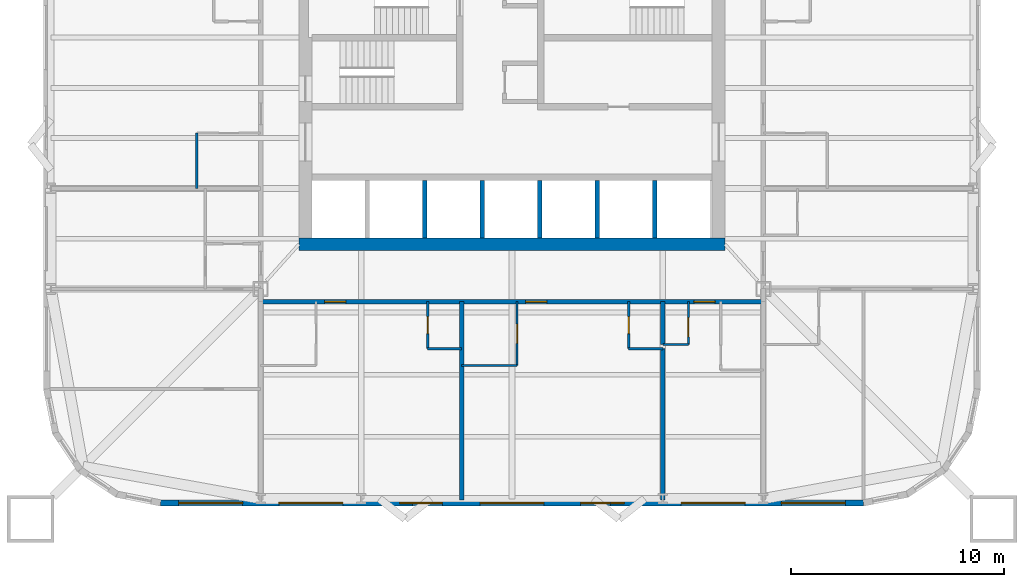
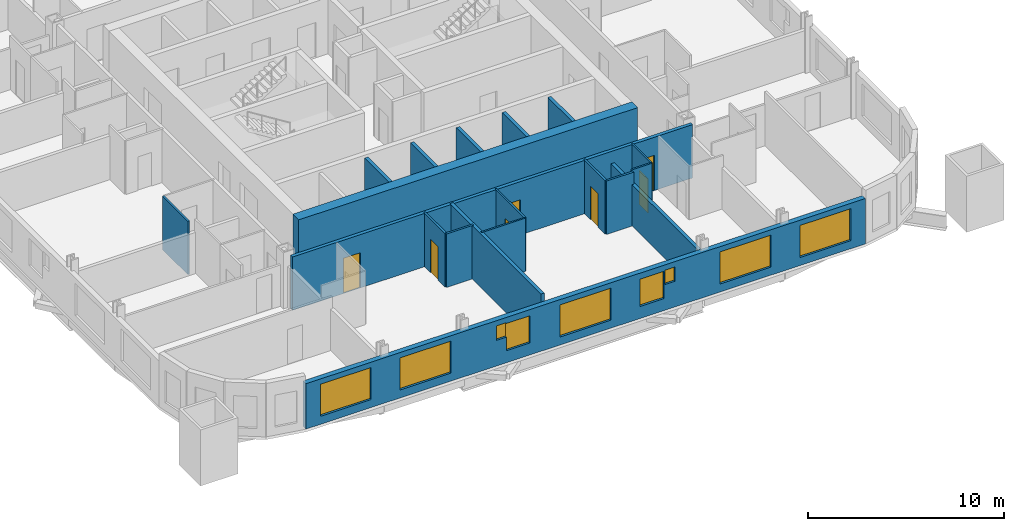
# One storey, part 3 of 10: 20 walls, 9 windows, 7 doors, 16 openings.
"""IFC4 building model written with IfcOpenShell, lengths in metres."""

from ifc_helpers import new_model, si_unit, direction, frame, frame_2d, origin, place, context, subcontext, project, spatial, rectangle, extrude, material, layer, layer_set, type_object, element, fill, save


model = new_model("IFC4")

# Units and contexts
model_context = context("Model", 3, precision=1e-05, world=origin(), true_north=direction((0.0, 1.0)))
body_context = subcontext(model_context, "Body", "Model", "MODEL_VIEW")
ifc_project = project(units=[si_unit("LENGTHUNIT", "METRE"), si_unit("AREAUNIT", "SQUARE_METRE"), si_unit("VOLUMEUNIT", "CUBIC_METRE"), si_unit("PLANEANGLEUNIT", "RADIAN"), si_unit("MASSUNIT", "GRAM", prefix="KILO")], contexts=[model_context])

# Site, building, storey
site_placement = place(None, origin())
site = spatial("IfcSite", under=ifc_project, at=site_placement, CompositionType="ELEMENT")
building_placement = place(site_placement, origin())
building = spatial("IfcBuilding", under=site, at=building_placement, Name="Turquesa Mirador Hotel Tower", CompositionType="ELEMENT")
storey_placement = place(building_placement, frame((0.0, 0.0, 63.5)))
storey = spatial("IfcBuildingStorey", under=building, at=storey_placement, Name="L16", CompositionType="ELEMENT", Elevation=63.5)

# Walls
ifc_material_1 = material(Name="Gypsum board on steel studs", Category="steel")
ifc_layer_1 = layer(ifc_material_1, 0.10009765625)
ifc_layer_set_1 = layer_set([ifc_layer_1], Name="BATHROOM WALL 100")
wall_type_1 = type_object("IfcWallType", Name="BATHROOM WALL 100", PredefinedType="PARTITIONING", material=ifc_layer_set_1)
wall_1_placement = place(storey_placement, frame((62.080078125, 30.60009765625, 0.0), z_axis=(0.0, 0.0, 1.0), x_axis=(1.0, 0.0, 0.0)))
element("IfcWall", 1, at=wall_1_placement, inside=storey, type_object=wall_type_1, Name="Partition L16 005", PredefinedType="PARTITIONING", context=body_context, shape_type="SweptSolid", body=[
    extrude(rectangle(XDim=1.199951171875, YDim=0.10009765625, at=frame_2d((0.60009765625, 0.0))), origin(), (0.0, 0.0, 1.0), 3.330078125),
])
for number, where, z_axis, x_axis, name in (
    (2, (52.639892578125, 29.60009765625, 0.0), (0.0, 0.0, 1.0), (1.0, 0.0, 0.0), "Partition L16 010"),
    (3, (40.199951171875, 37.919921875, 0.0), (0.0, 0.0, 1.0), (0.0, 1.0, 0.0), "Partition L16 050"),
):
    element("IfcWall", number, at=place(storey_placement, frame(where, z_axis=z_axis, x_axis=x_axis)), inside=storey, type_object=wall_type_1, Name=name, PredefinedType="PARTITIONING", context=body_context, shape_type="SweptSolid", body=[
        extrude(rectangle(XDim=2.60009765625, YDim=0.10009765625, at=frame_2d((1.300048828125, 0.0))), origin(), (0.0, 0.0, 1.0), 3.330078125),
    ])

# Wall, opening, door
wall_2_placement = place(storey_placement, frame((55.239990234375, 29.60009765625, 0.0), z_axis=(0.0, 0.0, 1.0), x_axis=(0.0, 1.0, 0.0)))
wall_2 = element("IfcWall", 4, at=wall_2_placement, inside=storey, type_object=wall_type_1, Name="Partition L16 056", PredefinedType="PARTITIONING", context=body_context, shape_type="SweptSolid", body=[
    extrude(rectangle(XDim=3.0, YDim=0.10009765625, at=frame_2d((1.5, 0.0))), origin(), (0.0, 0.0, 1.0), 3.330078125),
])
opening_1_placement = place(wall_2_placement, frame((1.050048828125, 0.0, 0.0)))
opening_1 = element("IfcOpeningElement", 5, at=opening_1_placement, cuts=wall_2, Name="Opening D02", PredefinedType="OPENING", context=body_context, shape_type="SweptSolid", body=[
    extrude(rectangle(XDim=0.89990234375, YDim=2.10009765625, at=frame_2d((0.449951171875, 1.050048828125))), frame((0.0, 0.06005859375, 0.0), z_axis=(0.0, -1.0, 0.0), x_axis=(1.0, 0.0, 0.0)), (0.0, 0.0, 1.0), 0.1201171875),
])
ifc_material_2 = material(Name="Timber veneered door", Category="wood")
door_type_1 = type_object("IfcDoorType", Name="DOOR 900X2100 EN-SUITE", OperationType="SINGLE_SWING_RIGHT", PredefinedType="DOOR", material=ifc_material_2)
door_1_placement = place(opening_1_placement, origin())
door_1 = element("IfcDoor", 6, at=door_1_placement, inside=storey, type_object=door_type_1, Name="Door 1604B", OperationType="SINGLE_SWING_RIGHT", OverallHeight=2.10009765625, OverallWidth=0.89990234375, PredefinedType="DOOR", context=body_context, shape_type="SweptSolid", body=[
    extrude(rectangle(XDim=0.89990234375, YDim=2.10009765625, at=frame_2d((0.449951171875, 1.050048828125))), frame((0.0, 0.02490234375, 0.0), z_axis=(0.0, -1.0, 0.0), x_axis=(1.0, 0.0, 0.0)), (0.0, 0.0, 1.0), 0.050048828125),
])
fill(opening_1, door_1)

wall_3_placement = place(storey_placement, frame((63.280029296875, 30.60009765625, 0.0), z_axis=(0.0, 0.0, 1.0), x_axis=(0.0, 1.0, 0.0)))
wall_3 = element("IfcWall", 7, at=wall_3_placement, inside=storey, type_object=wall_type_1, Name="Partition L16 075", PredefinedType="PARTITIONING", context=body_context, shape_type="SweptSolid", body=[
    extrude(rectangle(XDim=2.0, YDim=0.10009765625, at=frame_2d((1.0, 0.0))), origin(), (0.0, 0.0, 1.0), 3.330078125),
])
opening_2_placement = place(wall_3_placement, frame((0.35009765625, 0.0, 0.0)))
opening_2 = element("IfcOpeningElement", 8, at=opening_2_placement, cuts=wall_3, Name="Opening D06", PredefinedType="OPENING", context=body_context, shape_type="SweptSolid", body=[
    extrude(rectangle(XDim=0.89990234375, YDim=2.10009765625, at=frame_2d((0.449951171875, 1.050048828125))), frame((0.0, 0.06005859375, 0.0), z_axis=(0.0, -1.0, 0.0), x_axis=(1.0, 0.0, 0.0)), (0.0, 0.0, 1.0), 0.1201171875),
])
ifc_material_3 = material(Name="Laminate door", Category="wood")
door_type_2 = type_object("IfcDoorType", Name="DOOR 900X2100 WC", OperationType="SINGLE_SWING_LEFT", PredefinedType="DOOR", material=ifc_material_3)
door_2_placement = place(opening_2_placement, origin())
door_2 = element("IfcDoor", 9, at=door_2_placement, inside=storey, type_object=door_type_2, Name="Door 1605W", OperationType="SINGLE_SWING_LEFT", OverallHeight=2.10009765625, OverallWidth=0.89990234375, PredefinedType="DOOR", context=body_context, shape_type="SweptSolid", body=[
    extrude(rectangle(XDim=0.89990234375, YDim=2.10009765625, at=frame_2d((0.449951171875, 1.050048828125))), frame((0.0, 0.02490234375, 0.0), z_axis=(0.0, -1.0, 0.0), x_axis=(1.0, 0.0, 0.0)), (0.0, 0.0, 1.0), 0.050048828125),
])
fill(opening_2, door_2)

# Wall
ifc_material_4 = material(Name="Concrete C50/60", Category="concrete")
ifc_layer_2 = layer(ifc_material_4, 0.60009765625)
ifc_layer_set_2 = layer_set([ifc_layer_2], Name="CORE WALL 600")
wall_type_2 = type_object("IfcWallType", Name="CORE WALL 600", PredefinedType="SHEAR", material=ifc_layer_set_2)
wall_4_placement = place(storey_placement, frame((45.0, 35.300048828125, 0.0), z_axis=(0.0, 0.0, 1.0), x_axis=(1.0, 0.0, 0.0)))
element("IfcWall", 10, at=wall_4_placement, inside=storey, type_object=wall_type_2, Name="Core wall S", PredefinedType="SHEAR", context=body_context, shape_type="SweptSolid", body=[
    extrude(rectangle(XDim=20.0, YDim=0.60009765625, at=frame_2d((10.0, 0.0))), origin(), (0.0, 0.0, 1.0), 3.5),
])

# Wall, openings, doors
ifc_material_5 = material(Name="Fire-rated gypsum board on steel studs", Category="steel")
ifc_layer_3 = layer(ifc_material_5, 0.199951171875)
ifc_layer_set_3 = layer_set([ifc_layer_3], Name="CORRIDOR WALL 200")
wall_type_3 = type_object("IfcWallType", Name="CORRIDOR WALL 200", PredefinedType="PARTITIONING", material=ifc_layer_set_3)
wall_5_placement = place(storey_placement, frame((43.199951171875, 32.60009765625, 0.0), z_axis=(0.0, 0.0, 1.0), x_axis=(1.0, 0.0, 0.0)))
wall_5 = element("IfcWall", 11, at=wall_5_placement, inside=storey, type_object=wall_type_3, Name="Partition L16 004", PredefinedType="PARTITIONING", context=body_context, shape_type="SweptSolid", body=[
    extrude(rectangle(XDim=23.60009765625, YDim=0.199951171875, at=frame_2d((11.800048828125, 0.0))), origin(), (0.0, 0.0, 1.0), 3.330078125),
])
opening_3_placement = place(wall_5_placement, frame((3.0, 0.0, 0.0)))
opening_3 = element("IfcOpeningElement", 12, at=opening_3_placement, cuts=wall_5, Name="Opening D01", PredefinedType="OPENING", context=body_context, shape_type="SweptSolid", body=[
    extrude(rectangle(XDim=1.0, YDim=2.199951171875, at=frame_2d((0.5, 1.10009765625))), frame((0.0, 0.10986328125, 0.0), z_axis=(0.0, -1.0, 0.0), x_axis=(1.0, 0.0, 0.0)), (0.0, 0.0, 1.0), 0.219970703125),
])
opening_4_placement = place(wall_5_placement, frame((12.43994140625, 0.0, 0.0)))
opening_4 = element("IfcOpeningElement", 13, at=opening_4_placement, cuts=wall_5, Name="Opening D01", PredefinedType="OPENING", context=body_context, shape_type="SweptSolid", body=[
    extrude(rectangle(XDim=1.0, YDim=2.199951171875, at=frame_2d((0.5, 1.10009765625))), frame((0.0, 0.10986328125, 0.0), z_axis=(0.0, -1.0, 0.0), x_axis=(1.0, 0.0, 0.0)), (0.0, 0.0, 1.0), 0.219970703125),
])
opening_5_placement = place(wall_5_placement, frame((20.340087890625, 0.0, 0.0)))
opening_5 = element("IfcOpeningElement", 14, at=opening_5_placement, cuts=wall_5, Name="Opening D01", PredefinedType="OPENING", context=body_context, shape_type="SweptSolid", body=[
    extrude(rectangle(XDim=1.0, YDim=2.199951171875, at=frame_2d((0.5, 1.10009765625))), frame((0.0, 0.10986328125, 0.0), z_axis=(0.0, -1.0, 0.0), x_axis=(1.0, 0.0, 0.0)), (0.0, 0.0, 1.0), 0.219970703125),
])
ifc_material_6 = material(Name="Timber veneered fire door", Category="wood")
door_type_3 = type_object("IfcDoorType", Name="DOOR 1000X2200 GUEST ENTRY", OperationType="SINGLE_SWING_LEFT", PredefinedType="DOOR", material=ifc_material_6)
door_3_placement = place(opening_3_placement, origin())
door_3 = element("IfcDoor", 15, at=door_3_placement, inside=storey, type_object=door_type_3, Name="Door 1603", OperationType="SINGLE_SWING_LEFT", OverallHeight=2.199951171875, OverallWidth=1.0, PredefinedType="DOOR", context=body_context, shape_type="SweptSolid", body=[
    extrude(rectangle(XDim=1.0, YDim=2.199951171875, at=frame_2d((0.5, 1.10009765625))), frame((0.0, 0.02490234375, 0.0), z_axis=(0.0, -1.0, 0.0), x_axis=(1.0, 0.0, 0.0)), (0.0, 0.0, 1.0), 0.050048828125),
])
fill(opening_3, door_3)
door_4_placement = place(opening_4_placement, origin())
door_4 = element("IfcDoor", 16, at=door_4_placement, inside=storey, type_object=door_type_3, Name="Door 1604", OperationType="SINGLE_SWING_LEFT", OverallHeight=2.199951171875, OverallWidth=1.0, PredefinedType="DOOR", context=body_context, shape_type="SweptSolid", body=[
    extrude(rectangle(XDim=1.0, YDim=2.199951171875, at=frame_2d((0.5, 1.10009765625))), frame((0.0, 0.02490234375, 0.0), z_axis=(0.0, -1.0, 0.0), x_axis=(1.0, 0.0, 0.0)), (0.0, 0.0, 1.0), 0.050048828125),
])
fill(opening_4, door_4)
door_5_placement = place(opening_5_placement, origin())
door_5 = element("IfcDoor", 17, at=door_5_placement, inside=storey, type_object=door_type_3, Name="Door 1605", OperationType="SINGLE_SWING_LEFT", OverallHeight=2.199951171875, OverallWidth=1.0, PredefinedType="DOOR", context=body_context, shape_type="SweptSolid", body=[
    extrude(rectangle(XDim=1.0, YDim=2.199951171875, at=frame_2d((0.5, 1.10009765625))), frame((0.0, 0.02490234375, 0.0), z_axis=(0.0, -1.0, 0.0), x_axis=(1.0, 0.0, 0.0)), (0.0, 0.0, 1.0), 0.050048828125),
])
fill(opening_5, door_5)

# Wall, openings, windows
ifc_material_7 = material(Name="Limestone cladding on concrete block", Category="masonry")
ifc_layer_4 = layer(ifc_material_7, 0.300048828125)
ifc_layer_set_4 = layer_set([ifc_layer_4], Name="FACADE WALL 300 STONE SCREEN")
wall_type_4 = type_object("IfcWallType", Name="FACADE WALL 300 STONE SCREEN", PredefinedType="SOLIDWALL", material=ifc_layer_set_4)
wall_6_placement = place(storey_placement, frame((38.5, 23.14990234375, 0.0), z_axis=(0.0, 0.0, 1.0), x_axis=(1.0, 0.0, 0.0)))
wall_6 = element("IfcWall", 18, at=wall_6_placement, inside=storey, type_object=wall_type_4, Name="Facade wall L16 19", PredefinedType="SOLIDWALL", context=body_context, shape_type="SweptSolid", body=[
    extrude(rectangle(XDim=33.0, YDim=0.300048828125, at=frame_2d((16.5, 0.0))), origin(), (0.0, 0.0, 1.0), 2.830078125),
])
opening_6_placement = place(wall_6_placement, frame((0.85009765625, 0.0, 0.5)))
opening_6 = element("IfcOpeningElement", 19, at=opening_6_placement, cuts=wall_6, Name="Opening WN1", PredefinedType="OPENING", context=body_context, shape_type="SweptSolid", body=[
    extrude(rectangle(XDim=3.0, YDim=2.0, at=frame_2d((1.5, 1.0))), frame((0.0, 0.159912109375, 0.0), z_axis=(0.0, -1.0, 0.0), x_axis=(1.0, 0.0, 0.0)), (0.0, 0.0, 1.0), 0.320068359375),
])
opening_7_placement = place(wall_6_placement, frame((5.56005859375, 0.0, 0.5)))
opening_7 = element("IfcOpeningElement", 20, at=opening_7_placement, cuts=wall_6, Name="Opening WN1", PredefinedType="OPENING", context=body_context, shape_type="SweptSolid", body=[
    extrude(rectangle(XDim=3.0, YDim=2.0, at=frame_2d((1.5, 1.0))), frame((0.0, 0.159912109375, 0.0), z_axis=(0.0, -1.0, 0.0), x_axis=(1.0, 0.0, 0.0)), (0.0, 0.0, 1.0), 0.320068359375),
])
opening_8_placement = place(wall_6_placement, frame((11.830078125, 0.0, 0.75)))
opening_8 = element("IfcOpeningElement", 21, at=opening_8_placement, cuts=wall_6, Name="Opening WN43", PredefinedType="OPENING", context=body_context, shape_type="SweptSolid", body=[
    extrude(rectangle(XDim=1.39990234375, YDim=1.699951171875, at=frame_2d((0.699951171875, 0.85009765625))), frame((0.0, 0.159912109375, 0.0), z_axis=(0.0, -1.0, 0.0), x_axis=(1.0, 0.0, 0.0)), (0.0, 0.0, 1.0), 0.320068359375),
])
opening_9_placement = place(wall_6_placement, frame((15.0, 0.0, 0.5)))
opening_9 = element("IfcOpeningElement", 22, at=opening_9_placement, cuts=wall_6, Name="Opening WN1", PredefinedType="OPENING", context=body_context, shape_type="SweptSolid", body=[
    extrude(rectangle(XDim=3.0, YDim=2.0, at=frame_2d((1.5, 1.0))), frame((0.0, 0.159912109375, 0.0), z_axis=(0.0, -1.0, 0.0), x_axis=(1.0, 0.0, 0.0)), (0.0, 0.0, 1.0), 0.320068359375),
])
opening_10_placement = place(wall_6_placement, frame((19.719970703125, 0.0, 0.75)))
opening_10 = element("IfcOpeningElement", 23, at=opening_10_placement, cuts=wall_6, Name="Opening WN43", PredefinedType="OPENING", context=body_context, shape_type="SweptSolid", body=[
    extrude(rectangle(XDim=1.39990234375, YDim=1.699951171875, at=frame_2d((0.699951171875, 0.85009765625))), frame((0.0, 0.159912109375, 0.0), z_axis=(0.0, -1.0, 0.0), x_axis=(1.0, 0.0, 0.0)), (0.0, 0.0, 1.0), 0.320068359375),
])
opening_11_placement = place(wall_6_placement, frame((24.43994140625, 0.0, 0.5)))
opening_11 = element("IfcOpeningElement", 24, at=opening_11_placement, cuts=wall_6, Name="Opening WN1", PredefinedType="OPENING", context=body_context, shape_type="SweptSolid", body=[
    extrude(rectangle(XDim=3.0, YDim=2.0, at=frame_2d((1.5, 1.0))), frame((0.0, 0.159912109375, 0.0), z_axis=(0.0, -1.0, 0.0), x_axis=(1.0, 0.0, 0.0)), (0.0, 0.0, 1.0), 0.320068359375),
])
opening_12_placement = place(wall_6_placement, frame((29.14990234375, 0.0, 0.5)))
opening_12 = element("IfcOpeningElement", 25, at=opening_12_placement, cuts=wall_6, Name="Opening WN1", PredefinedType="OPENING", context=body_context, shape_type="SweptSolid", body=[
    extrude(rectangle(XDim=3.0, YDim=2.0, at=frame_2d((1.5, 1.0))), frame((0.0, 0.159912109375, 0.0), z_axis=(0.0, -1.0, 0.0), x_axis=(1.0, 0.0, 0.0)), (0.0, 0.0, 1.0), 0.320068359375),
])
opening_13_placement = place(wall_6_placement, frame((11.22998046875, 0.0, 1.60009765625)))
opening_13 = element("IfcOpeningElement", 26, at=opening_13_placement, cuts=wall_6, Name="Opening WN25", PredefinedType="OPENING", context=body_context, shape_type="SweptSolid", body=[
    extrude(rectangle(XDim=0.60009765625, YDim=0.89990234375, at=frame_2d((0.300048828125, 0.449951171875))), frame((0.0, 0.159912109375, 0.0), z_axis=(0.0, -1.0, 0.0), x_axis=(1.0, 0.0, 0.0)), (0.0, 0.0, 1.0), 0.320068359375),
])
opening_14_placement = place(wall_6_placement, frame((21.169921875, 0.0, 1.60009765625)))
opening_14 = element("IfcOpeningElement", 27, at=opening_14_placement, cuts=wall_6, Name="Opening WN25", PredefinedType="OPENING", context=body_context, shape_type="SweptSolid", body=[
    extrude(rectangle(XDim=0.60009765625, YDim=0.89990234375, at=frame_2d((0.300048828125, 0.449951171875))), frame((0.0, 0.159912109375, 0.0), z_axis=(0.0, -1.0, 0.0), x_axis=(1.0, 0.0, 0.0)), (0.0, 0.0, 1.0), 0.320068359375),
])
ifc_material_8 = material(Name="Ceramic-fritted laminated glass", Category="glass")
window_type_1 = type_object("IfcWindowType", Name="FRITTED WINDOW 1400X1700", PartitioningType="DOUBLE_PANEL_HORIZONTAL", PredefinedType="WINDOW", material=ifc_material_8)
window_1_placement = place(opening_8_placement, origin())
window_1 = element("IfcWindow", 28, at=window_1_placement, inside=storey, type_object=window_type_1, Name="Window L16", OverallHeight=1.699951171875, OverallWidth=1.39990234375, PartitioningType="SINGLE_PANEL", PredefinedType="WINDOW", context=body_context, shape_type="SweptSolid", body=[
    extrude(rectangle(XDim=1.39990234375, YDim=1.699951171875, at=frame_2d((0.699951171875, 0.85009765625))), frame((0.0, 0.030029296875, 0.0), z_axis=(0.0, -1.0, 0.0), x_axis=(1.0, 0.0, 0.0)), (0.0, 0.0, 1.0), 0.06005859375),
])
fill(opening_8, window_1)
window_2_placement = place(opening_10_placement, origin())
window_2 = element("IfcWindow", 29, at=window_2_placement, inside=storey, type_object=window_type_1, Name="Window L16", OverallHeight=1.699951171875, OverallWidth=1.39990234375, PartitioningType="SINGLE_PANEL", PredefinedType="WINDOW", context=body_context, shape_type="SweptSolid", body=[
    extrude(rectangle(XDim=1.39990234375, YDim=1.699951171875, at=frame_2d((0.699951171875, 0.85009765625))), frame((0.0, 0.030029296875, 0.0), z_axis=(0.0, -1.0, 0.0), x_axis=(1.0, 0.0, 0.0)), (0.0, 0.0, 1.0), 0.06005859375),
])
fill(opening_10, window_2)
ifc_material_9 = material(Name="Ceramic-fritted laminated glass", Category="glass")
window_type_2 = type_object("IfcWindowType", Name="FRITTED WINDOW 3000X2000", PartitioningType="DOUBLE_PANEL_HORIZONTAL", PredefinedType="WINDOW", material=ifc_material_9)
window_3_placement = place(opening_6_placement, origin())
window_3 = element("IfcWindow", 30, at=window_3_placement, inside=storey, type_object=window_type_2, Name="Window L16", OverallHeight=2.0, OverallWidth=3.0, PartitioningType="SINGLE_PANEL", PredefinedType="WINDOW", context=body_context, shape_type="SweptSolid", body=[
    extrude(rectangle(XDim=3.0, YDim=2.0, at=frame_2d((1.5, 1.0))), frame((0.0, 0.030029296875, 0.0), z_axis=(0.0, -1.0, 0.0), x_axis=(1.0, 0.0, 0.0)), (0.0, 0.0, 1.0), 0.06005859375),
])
fill(opening_6, window_3)
window_4_placement = place(opening_7_placement, origin())
window_4 = element("IfcWindow", 31, at=window_4_placement, inside=storey, type_object=window_type_2, Name="Window L16", OverallHeight=2.0, OverallWidth=3.0, PartitioningType="SINGLE_PANEL", PredefinedType="WINDOW", context=body_context, shape_type="SweptSolid", body=[
    extrude(rectangle(XDim=3.0, YDim=2.0, at=frame_2d((1.5, 1.0))), frame((0.0, 0.030029296875, 0.0), z_axis=(0.0, -1.0, 0.0), x_axis=(1.0, 0.0, 0.0)), (0.0, 0.0, 1.0), 0.06005859375),
])
fill(opening_7, window_4)
window_5_placement = place(opening_9_placement, origin())
window_5 = element("IfcWindow", 32, at=window_5_placement, inside=storey, type_object=window_type_2, Name="Window L16", OverallHeight=2.0, OverallWidth=3.0, PartitioningType="SINGLE_PANEL", PredefinedType="WINDOW", context=body_context, shape_type="SweptSolid", body=[
    extrude(rectangle(XDim=3.0, YDim=2.0, at=frame_2d((1.5, 1.0))), frame((0.0, 0.030029296875, 0.0), z_axis=(0.0, -1.0, 0.0), x_axis=(1.0, 0.0, 0.0)), (0.0, 0.0, 1.0), 0.06005859375),
])
fill(opening_9, window_5)
window_6_placement = place(opening_11_placement, origin())
window_6 = element("IfcWindow", 33, at=window_6_placement, inside=storey, type_object=window_type_2, Name="Window L16", OverallHeight=2.0, OverallWidth=3.0, PartitioningType="SINGLE_PANEL", PredefinedType="WINDOW", context=body_context, shape_type="SweptSolid", body=[
    extrude(rectangle(XDim=3.0, YDim=2.0, at=frame_2d((1.5, 1.0))), frame((0.0, 0.030029296875, 0.0), z_axis=(0.0, -1.0, 0.0), x_axis=(1.0, 0.0, 0.0)), (0.0, 0.0, 1.0), 0.06005859375),
])
fill(opening_11, window_6)
window_7_placement = place(opening_12_placement, origin())
window_7 = element("IfcWindow", 34, at=window_7_placement, inside=storey, type_object=window_type_2, Name="Window L16", OverallHeight=2.0, OverallWidth=3.0, PartitioningType="SINGLE_PANEL", PredefinedType="WINDOW", context=body_context, shape_type="SweptSolid", body=[
    extrude(rectangle(XDim=3.0, YDim=2.0, at=frame_2d((1.5, 1.0))), frame((0.0, 0.030029296875, 0.0), z_axis=(0.0, -1.0, 0.0), x_axis=(1.0, 0.0, 0.0)), (0.0, 0.0, 1.0), 0.06005859375),
])
fill(opening_12, window_7)
ifc_material_10 = material(Name="Ceramic-fritted laminated glass", Category="glass")
window_type_3 = type_object("IfcWindowType", Name="FRITTED WINDOW 600X900", PartitioningType="DOUBLE_PANEL_HORIZONTAL", PredefinedType="WINDOW", material=ifc_material_10)
window_8_placement = place(opening_13_placement, origin())
window_8 = element("IfcWindow", 35, at=window_8_placement, inside=storey, type_object=window_type_3, Name="Window L16", OverallHeight=0.89990234375, OverallWidth=0.60009765625, PartitioningType="SINGLE_PANEL", PredefinedType="WINDOW", context=body_context, shape_type="SweptSolid", body=[
    extrude(rectangle(XDim=0.60009765625, YDim=0.89990234375, at=frame_2d((0.300048828125, 0.449951171875))), frame((0.0, 0.030029296875, 0.0), z_axis=(0.0, -1.0, 0.0), x_axis=(1.0, 0.0, 0.0)), (0.0, 0.0, 1.0), 0.06005859375),
])
fill(opening_13, window_8)
window_9_placement = place(opening_14_placement, origin())
window_9 = element("IfcWindow", 36, at=window_9_placement, inside=storey, type_object=window_type_3, Name="Window L16", OverallHeight=0.89990234375, OverallWidth=0.60009765625, PartitioningType="SINGLE_PANEL", PredefinedType="WINDOW", context=body_context, shape_type="SweptSolid", body=[
    extrude(rectangle(XDim=0.60009765625, YDim=0.89990234375, at=frame_2d((0.300048828125, 0.449951171875))), frame((0.0, 0.030029296875, 0.0), z_axis=(0.0, -1.0, 0.0), x_axis=(1.0, 0.0, 0.0)), (0.0, 0.0, 1.0), 0.06005859375),
])
fill(opening_14, window_9)

# Walls
ifc_material_11 = material(Name="Fire-rated gypsum shaft wall on steel studs", Category="steel")
ifc_layer_5 = layer(ifc_material_11, 0.199951171875)
ifc_layer_set_5 = layer_set([ifc_layer_5], Name="LIFT SHAFT DIVIDER 200")
wall_type_5 = type_object("IfcWallType", Name="LIFT SHAFT DIVIDER 200", PredefinedType="PARTITIONING", material=ifc_layer_set_5)
for number, where, z_axis, x_axis, name in (
    (37, (50.89990234375, 35.60009765625, 0.0), (0.0, 0.0, 1.0), (0.0, 1.0, 0.0), "Lift shaft divider"),
    (38, (53.60009765625, 35.60009765625, 0.0), (0.0, 0.0, 1.0), (0.0, 1.0, 0.0), "Lift shaft divider"),
    (39, (56.300048828125, 35.60009765625, 0.0), (0.0, 0.0, 1.0), (0.0, 1.0, 0.0), "Lift shaft divider"),
    (40, (59.0, 35.60009765625, 0.0), (0.0, 0.0, 1.0), (0.0, 1.0, 0.0), "Lift shaft divider"),
    (41, (61.699951171875, 35.60009765625, 0.0), (0.0, 0.0, 1.0), (0.0, 1.0, 0.0), "Lift shaft divider"),
):
    element("IfcWall", number, at=place(storey_placement, frame(where, z_axis=z_axis, x_axis=x_axis)), inside=storey, type_object=wall_type_5, Name=name, PredefinedType="PARTITIONING", context=body_context, shape_type="SweptSolid", body=[
        extrude(rectangle(XDim=2.699951171875, YDim=0.199951171875, at=frame_2d((1.35009765625, 0.0))), origin(), (0.0, 0.0, 1.0), 3.330078125),
    ])
ifc_material_12 = material(Name="Fire-rated gypsum board on steel studs", Category="steel")
ifc_layer_6 = layer(ifc_material_12, 0.199951171875)
ifc_layer_set_6 = layer_set([ifc_layer_6], Name="PARTY WALL 200")
wall_type_6 = type_object("IfcWallType", Name="PARTY WALL 200", PredefinedType="PARTITIONING", material=ifc_layer_set_6)
wall_7_placement = place(storey_placement, frame((52.639892578125, 23.300048828125, 0.0), z_axis=(0.0, 0.0, 1.0), x_axis=(0.0, 1.0, 0.0)))
element("IfcWall", 42, at=wall_7_placement, inside=storey, type_object=wall_type_6, Name="Partition L16 052", PredefinedType="PARTITIONING", context=body_context, shape_type="SweptSolid", body=[
    extrude(rectangle(XDim=9.300048828125, YDim=0.199951171875, at=frame_2d((4.64990234375, 0.0))), origin(), (0.0, 0.0, 1.0), 3.330078125),
])
wall_8_placement = place(storey_placement, frame((62.080078125, 23.300048828125, 0.0), z_axis=(0.0, 0.0, 1.0), x_axis=(0.0, 1.0, 0.0)))
element("IfcWall", 43, at=wall_8_placement, inside=storey, type_object=wall_type_6, Name="Partition L16 073", PredefinedType="PARTITIONING", context=body_context, shape_type="SweptSolid", body=[
    extrude(rectangle(XDim=7.099853515625, YDim=0.199951171875, at=frame_2d((3.5498046875, 0.0))), origin(), (0.0, 0.0, 1.0), 2.572998046875),
])
wall_9_placement = place(storey_placement, frame((62.080078125, 30.60009765625, 0.0), z_axis=(0.0, 0.0, 1.0), x_axis=(0.0, 1.0, 0.0)))
element("IfcWall", 44, at=wall_9_placement, inside=storey, type_object=wall_type_6, Name="Partition L16 074", PredefinedType="PARTITIONING", context=body_context, shape_type="SweptSolid", body=[
    extrude(rectangle(XDim=2.0, YDim=0.199951171875, at=frame_2d((1.0, 0.0))), origin(), (0.0, 0.0, 1.0), 2.572998046875),
])
ifc_material_13 = material(Name="Acoustic gypsum board on steel studs", Category="steel")
ifc_layer_7 = layer(ifc_material_13, 0.125)
ifc_layer_set_7 = layer_set([ifc_layer_7], Name="SUITE PARTITION 125")
wall_type_7 = type_object("IfcWallType", Name="SUITE PARTITION 125", PredefinedType="PARTITIONING", material=ifc_layer_set_7)
wall_10_placement = place(storey_placement, frame((51.0400390625, 30.39990234375, 0.0), z_axis=(0.0, 0.0, 1.0), x_axis=(1.0, 0.0, 0.0)))
element("IfcWall", 45, at=wall_10_placement, inside=storey, type_object=wall_type_7, Name="Partition L16 007", PredefinedType="PARTITIONING", context=body_context, shape_type="SweptSolid", body=[
    extrude(rectangle(XDim=1.599853515625, YDim=0.125, at=frame_2d((0.7998046875, 0.0))), origin(), (0.0, 0.0, 1.0), 3.330078125),
])
wall_11_placement = place(storey_placement, frame((60.47998046875, 30.39990234375, 0.0), z_axis=(0.0, 0.0, 1.0), x_axis=(1.0, 0.0, 0.0)))
element("IfcWall", 46, at=wall_11_placement, inside=storey, type_object=wall_type_7, Name="Partition L16 008", PredefinedType="PARTITIONING", context=body_context, shape_type="SweptSolid", body=[
    extrude(rectangle(XDim=1.60009765625, YDim=0.125, at=frame_2d((0.800048828125, 0.0))), origin(), (0.0, 0.0, 1.0), 3.330078125),
])

# Wall, opening, door
wall_12_placement = place(storey_placement, frame((51.0400390625, 30.39990234375, 0.0), z_axis=(0.0, 0.0, 1.0), x_axis=(0.0, 1.0, 0.0)))
wall_12 = element("IfcWall", 47, at=wall_12_placement, inside=storey, type_object=wall_type_7, Name="Partition L16 054", PredefinedType="PARTITIONING", context=body_context, shape_type="SweptSolid", body=[
    extrude(rectangle(XDim=2.2001953125, YDim=0.125, at=frame_2d((1.10009765625, 0.0))), origin(), (0.0, 0.0, 1.0), 3.330078125),
])
opening_15_placement = place(wall_12_placement, frame((0.699951171875, 0.0, 0.0)))
opening_15 = element("IfcOpeningElement", 48, at=opening_15_placement, cuts=wall_12, Name="Opening D20", PredefinedType="OPENING", context=body_context, shape_type="SweptSolid", body=[
    extrude(rectangle(XDim=0.800048828125, YDim=2.10009765625, at=frame_2d((0.39990234375, 1.050048828125))), frame((0.0, 0.072509765625, 0.0), z_axis=(0.0, -1.0, 0.0), x_axis=(1.0, 0.0, 0.0)), (0.0, 0.0, 1.0), 0.14501953125),
])
ifc_material_14 = material(Name="Timber veneered sliding door", Category="wood")
door_type_4 = type_object("IfcDoorType", Name="DOOR 800X2100 WARDROBE", OperationType="SLIDING_TO_LEFT", PredefinedType="DOOR", material=ifc_material_14)
door_6_placement = place(opening_15_placement, origin())
door_6 = element("IfcDoor", 49, at=door_6_placement, inside=storey, type_object=door_type_4, Name="Door 1603W", OperationType="SLIDING_TO_LEFT", OverallHeight=2.10009765625, OverallWidth=0.800048828125, PredefinedType="DOOR", context=body_context, shape_type="SweptSolid", body=[
    extrude(rectangle(XDim=0.800048828125, YDim=2.10009765625, at=frame_2d((0.39990234375, 1.050048828125))), frame((0.0, 0.02490234375, 0.0), z_axis=(0.0, -1.0, 0.0), x_axis=(1.0, 0.0, 0.0)), (0.0, 0.0, 1.0), 0.050048828125),
])
fill(opening_15, door_6)

wall_13_placement = place(storey_placement, frame((60.47998046875, 30.39990234375, 0.0), z_axis=(0.0, 0.0, 1.0), x_axis=(0.0, 1.0, 0.0)))
wall_13 = element("IfcWall", 50, at=wall_13_placement, inside=storey, type_object=wall_type_7, Name="Partition L16 072", PredefinedType="PARTITIONING", context=body_context, shape_type="SweptSolid", body=[
    extrude(rectangle(XDim=2.2001953125, YDim=0.125, at=frame_2d((1.10009765625, 0.0))), origin(), (0.0, 0.0, 1.0), 3.330078125),
])
opening_16_placement = place(wall_13_placement, frame((0.699951171875, 0.0, 0.0)))
opening_16 = element("IfcOpeningElement", 51, at=opening_16_placement, cuts=wall_13, Name="Opening D20", PredefinedType="OPENING", context=body_context, shape_type="SweptSolid", body=[
    extrude(rectangle(XDim=0.800048828125, YDim=2.10009765625, at=frame_2d((0.39990234375, 1.050048828125))), frame((0.0, 0.072509765625, 0.0), z_axis=(0.0, -1.0, 0.0), x_axis=(1.0, 0.0, 0.0)), (0.0, 0.0, 1.0), 0.14501953125),
])
door_7_placement = place(opening_16_placement, origin())
door_7 = element("IfcDoor", 52, at=door_7_placement, inside=storey, type_object=door_type_4, Name="Door 1604W", OperationType="SLIDING_TO_LEFT", OverallHeight=2.10009765625, OverallWidth=0.800048828125, PredefinedType="DOOR", context=body_context, shape_type="SweptSolid", body=[
    extrude(rectangle(XDim=0.800048828125, YDim=2.10009765625, at=frame_2d((0.39990234375, 1.050048828125))), frame((0.0, 0.02490234375, 0.0), z_axis=(0.0, -1.0, 0.0), x_axis=(1.0, 0.0, 0.0)), (0.0, 0.0, 1.0), 0.050048828125),
])
fill(opening_16, door_7)

save(model, "model.ifc")
